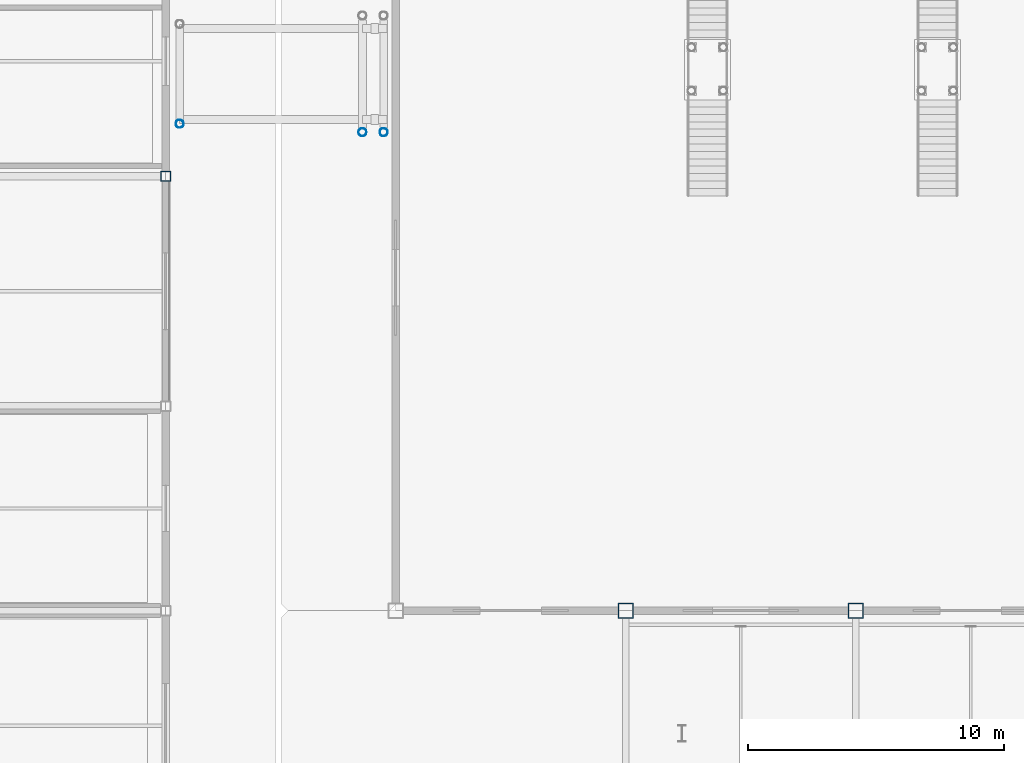
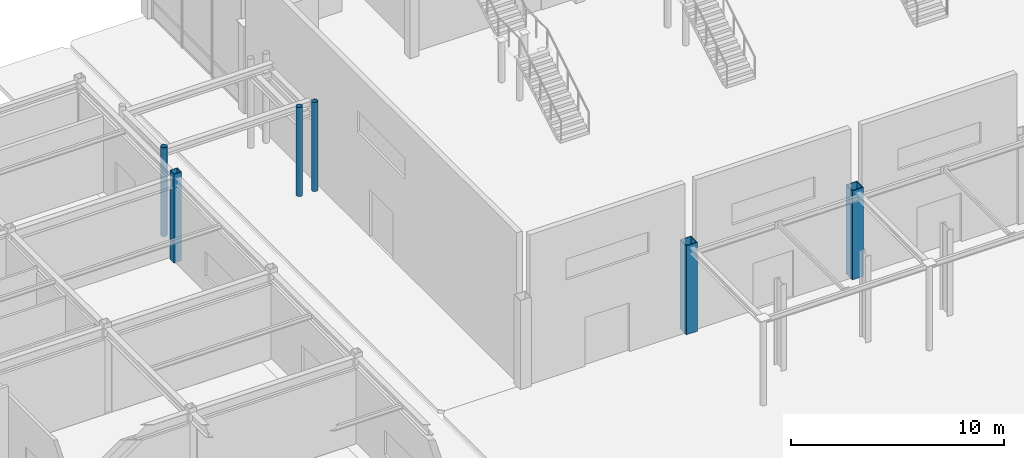
# One storey, part 4 of 123: 6 columns.
"""IFC4 building model written with IfcOpenShell, lengths in metres."""

from ifc_helpers import new_model, si_unit, direction, frame, origin, origin_2d, place, context, subcontext, project, spatial, hollow_rectangle, hollow_circle, extrude, material, material_profile, profile_set, type_object, element, save


model = new_model("IFC4")

# Units and contexts
model_context = context("Model", 3, precision=1e-05, world=origin(), true_north=direction((0.0, 1.0)))
body_context = subcontext(model_context, "Body", "Model", "MODEL_VIEW")
ifc_project = project(units=[si_unit("LENGTHUNIT", "METRE"), si_unit("AREAUNIT", "SQUARE_METRE"), si_unit("VOLUMEUNIT", "CUBIC_METRE"), si_unit("PLANEANGLEUNIT", "RADIAN"), si_unit("MASSUNIT", "GRAM", prefix="KILO")], contexts=[model_context])

# Site, building, storey
site_placement = place(None, origin())
site = spatial("IfcSite", under=ifc_project, at=site_placement, CompositionType="ELEMENT")
building_placement = place(site_placement, origin())
building = spatial("IfcBuilding", under=site, at=building_placement, Name="Suzunagisa Mobility Hub", CompositionType="ELEMENT")
storey_placement = place(building_placement, origin())
storey = spatial("IfcBuildingStorey", under=building, at=storey_placement, Name="L00", CompositionType="ELEMENT", Elevation=0.0)

# Columns
ifc_material = material(Name="Steel SN490B", Category="steel")
ifc_material_profile_1 = material_profile(ifc_material, hollow_rectangle(XDim=0.60009765625, YDim=0.60009765625, WallThickness=0.031982421875, at=origin_2d()), Name="BOX-600x600x32")
ifc_profile_set_1 = profile_set([ifc_material_profile_1], Name="Steel SN490B")
column_type_1 = type_object("IfcColumnType", Name="Steel Column CL-05 BOX-600x600x32", PredefinedType="COLUMN", material=ifc_profile_set_1)
for number, where, z_axis, x_axis, name in (
    (1, (54.0, 36.0, 0.0), (0.0, 0.0, 1.0), (1.0, 0.0, 0.0), "L00 Column 126"),
    (2, (63.0, 36.0, 0.0), (0.0, 0.0, 1.0), (1.0, 0.0, 0.0), "L00 Column 135"),
):
    element("IfcColumn", number, at=place(storey_placement, frame(where, z_axis=z_axis, x_axis=x_axis)), inside=storey, type_object=column_type_1, Name=name, PredefinedType="COLUMN", context=body_context, shape_type="SweptSolid", body=[
        extrude(hollow_rectangle(XDim=0.60009765625, YDim=0.60009765625, WallThickness=0.031982421875, at=origin_2d()), origin(), (0.0, 0.0, 1.0), 5.10009765625),
    ])
ifc_material_profile_2 = material_profile(ifc_material, hollow_circle(Radius=0.1591796875, WallThickness=0.01025390625, at=origin_2d()), Name="CHS-318.5x10.3")
ifc_profile_set_2 = profile_set([ifc_material_profile_2], Name="Steel SN490B")
column_type_2 = type_object("IfcColumnType", Name="Steel Column CL-09 CHS-318.5x10.3", PredefinedType="COLUMN", material=ifc_profile_set_2)
for number, where, z_axis, x_axis, name in (
    (3, (36.550048828125, 55.050048828125, 0.0), (0.0, 0.0, 1.0), (1.0, 0.0, 0.0), "L00 Column 90"),
    (4, (43.699951171875, 54.719970703125, 0.0), (0.0, 0.0, 1.0), (1.0, 0.0, 0.0), "L00 Column 103"),
    (5, (44.530029296875, 54.719970703125, 0.0), (0.0, 0.0, 1.0), (1.0, 0.0, 0.0), "L00 Column 109"),
):
    element("IfcColumn", number, at=place(storey_placement, frame(where, z_axis=z_axis, x_axis=x_axis)), inside=storey, type_object=column_type_2, Name=name, PredefinedType="COLUMN", context=body_context, shape_type="SweptSolid", body=[
        extrude(hollow_circle(Radius=0.1591796875, WallThickness=0.01025390625, at=origin_2d()), origin(), (0.0, 0.0, 1.0), 5.10009765625),
    ])
ifc_material_profile_3 = material_profile(ifc_material, hollow_rectangle(XDim=0.39990234375, YDim=0.39990234375, WallThickness=0.01904296875, at=origin_2d()), Name="BCR-400x400x19")
ifc_profile_set_3 = profile_set([ifc_material_profile_3], Name="Steel SN490B")
column_type_3 = type_object("IfcColumnType", Name="Steel Column CL-13 BCR-400x400x19", PredefinedType="COLUMN", material=ifc_profile_set_3)
column_placement = place(storey_placement, frame((36.0, 53.0, 0.0), z_axis=(0.0, 0.0, 1.0), x_axis=(1.0, 0.0, 0.0)))
element("IfcColumn", 6, at=column_placement, inside=storey, type_object=column_type_3, Name="L00 Column 83", PredefinedType="COLUMN", context=body_context, shape_type="SweptSolid", body=[
    extrude(hollow_rectangle(XDim=0.39990234375, YDim=0.39990234375, WallThickness=0.01904296875, at=origin_2d()), origin(), (0.0, 0.0, 1.0), 5.10009765625),
])

save(model, "model.ifc")
